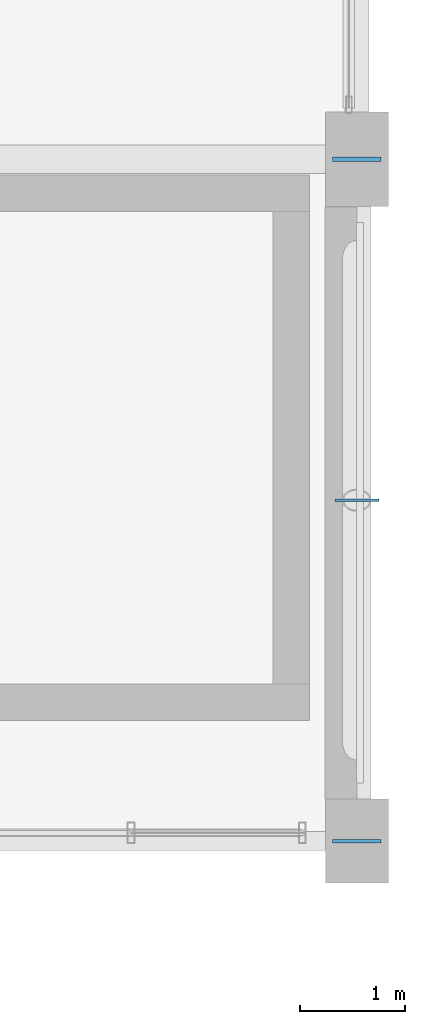
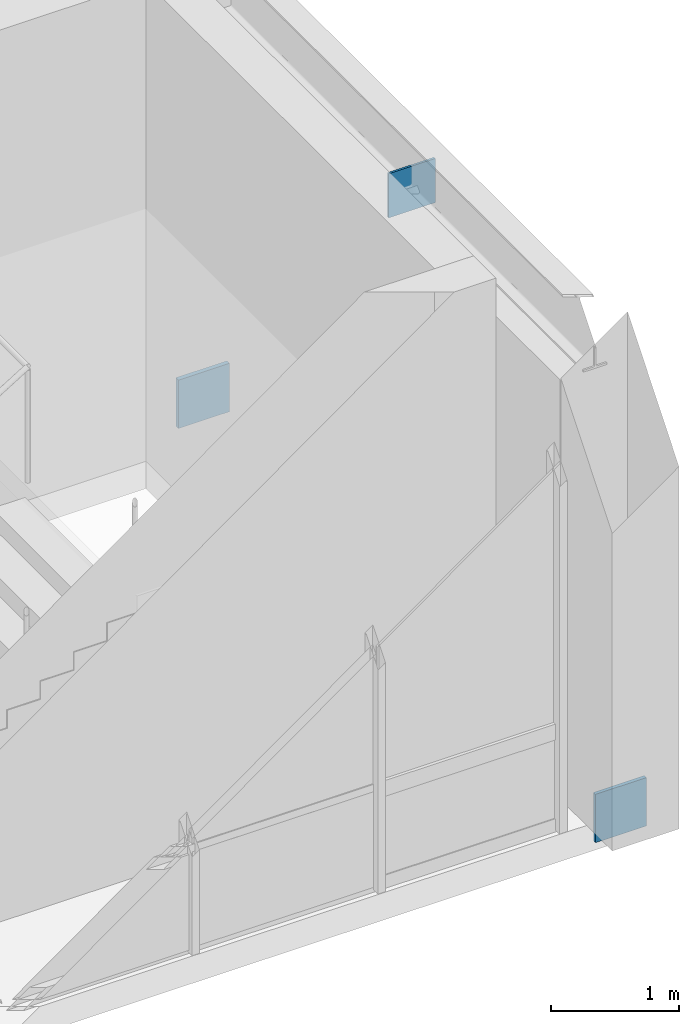
# One storey, part 169 of 200: 3 plates.
"""IFC4 building model written with IfcOpenShell, lengths in metres."""

from ifc_helpers import new_model, si_unit, direction, frame, origin, origin_2d, place, context, subcontext, project, spatial, rectangle, extrude, material, layer, layer_set, type_object, element, save


model = new_model("IFC4")

# Units and contexts
model_context = context("Model", 3, precision=1e-05, world=origin(), true_north=direction((0.0, 1.0)))
body_context = subcontext(model_context, "Body", "Model", "MODEL_VIEW")
ifc_project = project(units=[si_unit("LENGTHUNIT", "METRE"), si_unit("AREAUNIT", "SQUARE_METRE"), si_unit("VOLUMEUNIT", "CUBIC_METRE"), si_unit("PLANEANGLEUNIT", "RADIAN"), si_unit("MASSUNIT", "GRAM", prefix="KILO"), si_unit("THERMODYNAMICTEMPERATUREUNIT", "KELVIN"), si_unit("POWERUNIT", "WATT")], contexts=[model_context])

# Site, building, storey
site_placement = place(None, origin())
site = spatial("IfcSite", under=ifc_project, at=site_placement, CompositionType="ELEMENT")
building_placement = place(site_placement, origin())
building = spatial("IfcBuilding", under=site, at=building_placement, Name="Tepalcoro Natatorium and Aquatics Centre", CompositionType="ELEMENT")
storey_placement = place(building_placement, frame((0.0, 0.0, 5.39990234375)))
storey = spatial("IfcBuildingStorey", under=building, at=storey_placement, Name="L01", CompositionType="ELEMENT", Elevation=5.39990234375)

# Plates
ifc_material = material(Name="Plate Steel ASTM A572 Grade 50 (Fy 345 MPa)", Category="steel")
ifc_layer_1 = layer(ifc_material, 0.031982421875)
ifc_layer_set_1 = layer_set([ifc_layer_1], Name="Plate Steel ASTM A572 Grade 50 (Fy 345 MPa)")
plate_type_1 = type_object("IfcPlateType", Name="PL_CAP_32", PredefinedType="USERDEFINED", material=ifc_layer_set_1)
plate_1_placement = place(storey_placement, frame((176.0, 6.5, -0.179931640625), z_axis=(0.0, 0.0, 1.0), x_axis=(1.0, 0.0, 0.0)))
element("IfcPlate", 1, at=plate_1_placement, inside=storey, type_object=plate_type_1, Name="Truss Node Cap Plate BRB_5", ObjectType="CAP PLATE", PredefinedType="USERDEFINED", context=body_context, shape_type="SweptSolid", body=[
    extrude(rectangle(XDim=0.4599609375, YDim=0.031982421875, at=origin_2d()), origin(), (0.0, 0.0, 1.0), 0.4599609375),
])
ifc_layer_2 = layer(ifc_material, 0.02001953125)
ifc_layer_set_2 = layer_set([ifc_layer_2], Name="Plate Steel ASTM A572 Grade 50 (Fy 345 MPa)")
plate_type_2 = type_object("IfcPlateType", Name="PL_GUSSET_20", PredefinedType="USERDEFINED", material=ifc_layer_set_2)
plate_2_placement = place(storey_placement, frame((176.0, 9.75, 3.780029296875), z_axis=(0.0, 0.0, 1.0), x_axis=(1.0, 0.0, 0.0)))
element("IfcPlate", 2, at=plate_2_placement, inside=storey, type_object=plate_type_2, Name="V2 L01 Chevron Gusset Plate GP1", ObjectType="GUSSET PLATE", PredefinedType="USERDEFINED", context=body_context, shape_type="SweptSolid", body=[
    extrude(rectangle(XDim=0.419921875, YDim=0.02001953125, at=origin_2d()), origin(), (0.0, 0.0, 1.0), 0.419921875),
])
ifc_layer_3 = layer(ifc_material, 0.0400390625)
ifc_layer_set_3 = layer_set([ifc_layer_3], Name="Plate Steel ASTM A572 Grade 50 (Fy 345 MPa)")
plate_type_3 = type_object("IfcPlateType", Name="PL_GUSSET_40", PredefinedType="USERDEFINED", material=ifc_layer_set_3)
plate_3_placement = place(storey_placement, frame((176.0, 13.0, -0.179931640625), z_axis=(0.0, 0.0, 1.0), x_axis=(1.0, 0.0, 0.0)))
element("IfcPlate", 3, at=plate_3_placement, inside=storey, type_object=plate_type_3, Name="Truss Node Gusset Plate BRB_5", ObjectType="GUSSET PLATE", PredefinedType="USERDEFINED", context=body_context, shape_type="SweptSolid", body=[
    extrude(rectangle(XDim=0.4599609375, YDim=0.0400390625, at=origin_2d()), origin(), (0.0, 0.0, 1.0), 0.4599609375),
])

save(model, "model.ifc")
